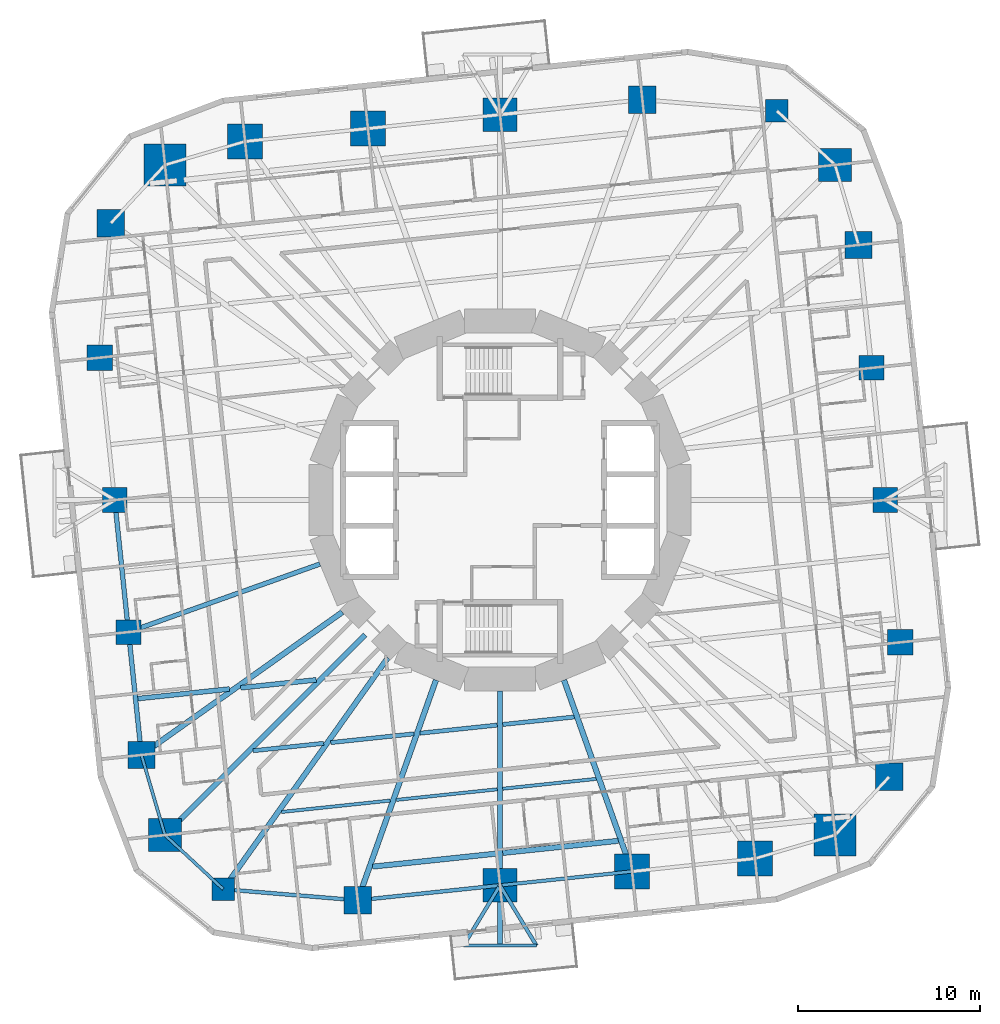
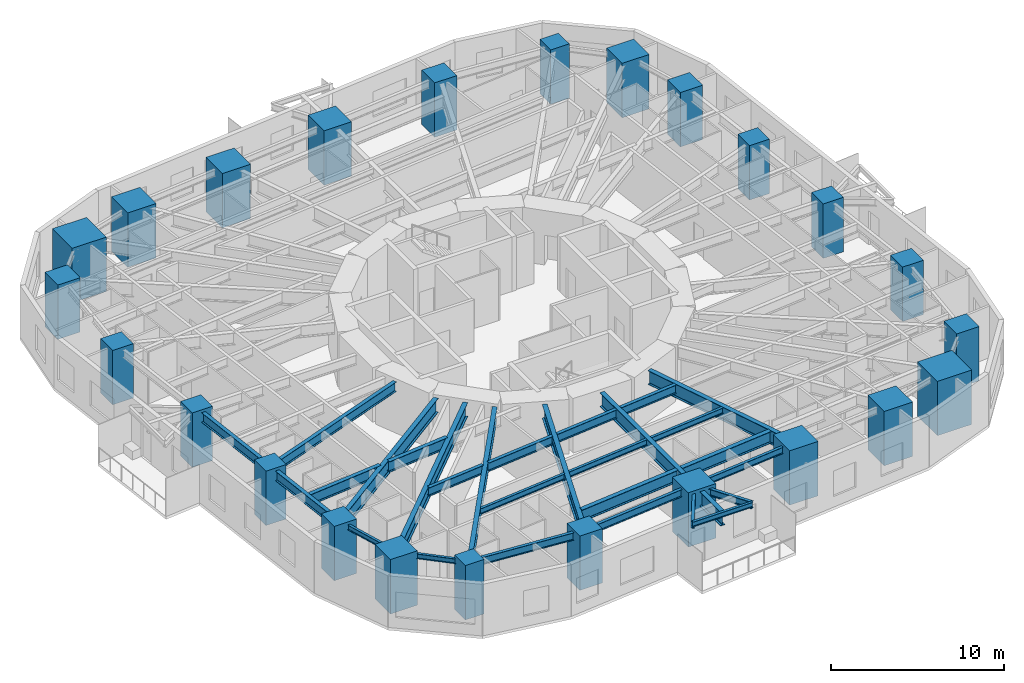
# One storey, part 1 of 14: 28 beams, 24 columns.
"""IFC4 building model written with IfcOpenShell, lengths in metres."""

from ifc_helpers import new_model, si_unit, direction, frame, origin, origin_2d, place, context, subcontext, project, spatial, rectangle, i_section, extrude, material, material_profile, profile_set, type_object, element, save


model = new_model("IFC4")

# Units and contexts
model_context = context("Model", 3, precision=1e-05, world=origin(), true_north=direction((0.0, 1.0)))
body_context = subcontext(model_context, "Body", "Model", "MODEL_VIEW")
ifc_project = project(units=[si_unit("LENGTHUNIT", "METRE"), si_unit("AREAUNIT", "SQUARE_METRE"), si_unit("VOLUMEUNIT", "CUBIC_METRE"), si_unit("PLANEANGLEUNIT", "RADIAN"), si_unit("MASSUNIT", "GRAM", prefix="KILO")], contexts=[model_context])

# Site, building, storey
site_placement = place(None, origin())
site = spatial("IfcSite", under=ifc_project, at=site_placement, CompositionType="ELEMENT")
building_placement = place(site_placement, origin())
building = spatial("IfcBuilding", under=site, at=building_placement, Name="Nakasero Lantern House", CompositionType="ELEMENT")
storey_placement = place(building_placement, frame((0.0, 0.0, 87.449951171875)))
storey = spatial("IfcBuildingStorey", under=building, at=storey_placement, Name="L21", CompositionType="ELEMENT", Elevation=87.449951171875)

# Columns
ifc_material_1 = material(Name="Concrete C50/60", Category="concrete")
ifc_material_profile_1 = material_profile(ifc_material_1, rectangle(XDim=1.800048828125, YDim=1.800048828125, at=origin_2d()), Name="RC 1800x1800")
ifc_profile_set_1 = profile_set([ifc_material_profile_1], Name="Concrete C50/60")
column_type_1 = type_object("IfcColumnType", Name="Mega column RC 1800x1800 C50/60", PredefinedType="COLUMN", material=ifc_profile_set_1)
for number, where, z_axis, x_axis, name in (
    (1, (18.359375, 18.359375, 0.0), (0.0, 0.0, 1.0), (1.0, 0.0, 0.0), "Column B2-C06 L21"),
    (2, (-18.359375, -18.359375, 0.0), (0.0, 0.0, 1.0), (1.0, 0.0, 0.0), "Column B2-C18 L21"),
):
    element("IfcColumn", number, at=place(storey_placement, frame(where, z_axis=z_axis, x_axis=x_axis)), inside=storey, type_object=column_type_1, Name=name, PredefinedType="COLUMN", context=body_context, shape_type="SweptSolid", body=[
        extrude(rectangle(XDim=1.800048828125, YDim=1.800048828125, at=origin_2d()), origin(), (0.0, 0.0, 1.0), 3.85009765625),
    ])
ifc_material_2 = material(Name="Concrete C50/60", Category="concrete")
ifc_material_profile_2 = material_profile(ifc_material_2, rectangle(XDim=2.300048828125, YDim=2.300048828125, at=origin_2d()), Name="RC 2300x2300")
ifc_profile_set_2 = profile_set([ifc_material_profile_2], Name="Concrete C50/60")
column_type_2 = type_object("IfcColumnType", Name="Mega column RC 2300x2300 C50/60", PredefinedType="COLUMN", material=ifc_profile_set_2)
for number, where, z_axis, x_axis, name in (
    (3, (-18.359375, 18.359375, 0.0), (0.0, 0.0, 1.0), (1.0, 0.0, 0.0), "Column B2-C12 L21"),
    (4, (18.359375, -18.359375, 0.0), (0.0, 0.0, 1.0), (1.0, 0.0, 0.0), "Column B2-C24 L21"),
):
    element("IfcColumn", number, at=place(storey_placement, frame(where, z_axis=z_axis, x_axis=x_axis)), inside=storey, type_object=column_type_2, Name=name, PredefinedType="COLUMN", context=body_context, shape_type="SweptSolid", body=[
        extrude(rectangle(XDim=2.300048828125, YDim=2.300048828125, at=origin_2d()), origin(), (0.0, 0.0, 1.0), 3.85009765625),
    ])
ifc_material_3 = material(Name="Concrete C50/60", Category="concrete")
ifc_material_profile_3 = material_profile(ifc_material_3, rectangle(XDim=1.25, YDim=1.25, at=origin_2d()), Name="RC 1250x1250")
ifc_profile_set_3 = profile_set([ifc_material_profile_3], Name="Concrete C50/60")
column_type_3 = type_object("IfcColumnType", Name="Ring column RC 1250x1250 C50/60", PredefinedType="COLUMN", material=ifc_profile_set_3)
for number, where, z_axis, x_axis, name in (
    (5, (15.16650390625, 21.327880859375, 0.0), (0.0, 0.0, 1.0), (1.0, 0.0, 0.0), "Column B2-C07 L21"),
    (6, (-15.16650390625, -21.327880859375, 0.0), (0.0, 0.0, 1.0), (1.0, 0.0, 0.0), "Column B2-C19 L21"),
):
    element("IfcColumn", number, at=place(storey_placement, frame(where, z_axis=z_axis, x_axis=x_axis)), inside=storey, type_object=column_type_3, Name=name, PredefinedType="COLUMN", context=body_context, shape_type="SweptSolid", body=[
        extrude(rectangle(XDim=1.25, YDim=1.25, at=origin_2d()), origin(), (0.0, 0.0, 1.0), 3.85009765625),
    ])
ifc_material_4 = material(Name="Concrete C50/60", Category="concrete")
ifc_material_profile_4 = material_profile(ifc_material_4, rectangle(XDim=1.35009765625, YDim=1.35009765625, at=origin_2d()), Name="RC 1350x1350")
ifc_profile_set_4 = profile_set([ifc_material_profile_4], Name="Concrete C50/60")
column_type_4 = type_object("IfcColumnType", Name="Ring column RC 1350x1350 C50/60", PredefinedType="COLUMN", material=ifc_profile_set_4)
for number, where, z_axis, x_axis, name in (
    (7, (21.11572265625, 0.0, 0.0), (0.0, 0.0, 1.0), (1.0, 0.0, 0.0), "Column B2-C03 L21"),
    (8, (20.35498046875, 7.2373046875, 0.0), (0.0, 0.0, 1.0), (1.0, 0.0, 0.0), "Column B2-C04 L21"),
    (9, (-21.11572265625, 0.0, 0.0), (0.0, 0.0, 1.0), (1.0, 0.0, 0.0), "Column B2-C15 L21"),
    (10, (-20.35498046875, -7.2373046875, 0.0), (0.0, 0.0, 1.0), (1.0, 0.0, 0.0), "Column B2-C16 L21"),
):
    element("IfcColumn", number, at=place(storey_placement, frame(where, z_axis=z_axis, x_axis=x_axis)), inside=storey, type_object=column_type_4, Name=name, PredefinedType="COLUMN", context=body_context, shape_type="SweptSolid", body=[
        extrude(rectangle(XDim=1.35009765625, YDim=1.35009765625, at=origin_2d()), origin(), (0.0, 0.0, 1.0), 3.85009765625),
    ])
ifc_material_5 = material(Name="Concrete C50/60", Category="concrete")
ifc_material_profile_5 = material_profile(ifc_material_5, rectangle(XDim=1.39990234375, YDim=1.39990234375, at=origin_2d()), Name="RC 1400x1400")
ifc_profile_set_5 = profile_set([ifc_material_profile_5], Name="Concrete C50/60")
column_type_5 = type_object("IfcColumnType", Name="Ring column RC 1400x1400 C50/60", PredefinedType="COLUMN", material=ifc_profile_set_5)
for number, where, z_axis, x_axis, name in (
    (11, (21.935302734375, -7.79931640625, 0.0), (0.0, 0.0, 1.0), (1.0, 0.0, 0.0), "Column B2-C02 L21"),
    (12, (-21.935302734375, 7.79931640625, 0.0), (0.0, 0.0, 1.0), (1.0, 0.0, 0.0), "Column B2-C14 L21"),
):
    element("IfcColumn", number, at=place(storey_placement, frame(where, z_axis=z_axis, x_axis=x_axis)), inside=storey, type_object=column_type_5, Name=name, PredefinedType="COLUMN", context=body_context, shape_type="SweptSolid", body=[
        extrude(rectangle(XDim=1.39990234375, YDim=1.39990234375, at=origin_2d()), origin(), (0.0, 0.0, 1.0), 3.85009765625),
    ])
ifc_material_6 = material(Name="Concrete C50/60", Category="concrete")
ifc_material_profile_6 = material_profile(ifc_material_6, rectangle(XDim=1.5, YDim=1.5, at=origin_2d()), Name="RC 1500x1500")
ifc_profile_set_6 = profile_set([ifc_material_profile_6], Name="Concrete C50/60")
column_type_6 = type_object("IfcColumnType", Name="Ring column RC 1500x1500 C50/60", PredefinedType="COLUMN", material=ifc_profile_set_6)
for number, where, z_axis, x_axis, name in (
    (13, (21.327880859375, -15.16650390625, 0.0), (0.0, 0.0, 1.0), (1.0, 0.0, 0.0), "Column B2-C01 L21"),
    (14, (19.647216796875, 13.971435546875, 0.0), (0.0, 0.0, 1.0), (1.0, 0.0, 0.0), "Column B2-C05 L21"),
    (15, (7.79931640625, 21.935302734375, 0.0), (0.0, 0.0, 1.0), (1.0, 0.0, 0.0), "Column B2-C08 L21"),
    (16, (-21.327880859375, 15.16650390625, 0.0), (0.0, 0.0, 1.0), (1.0, 0.0, 0.0), "Column B2-C13 L21"),
    (17, (-19.647216796875, -13.971435546875, 0.0), (0.0, 0.0, 1.0), (1.0, 0.0, 0.0), "Column B2-C17 L21"),
    (18, (-7.79931640625, -21.935302734375, 0.0), (0.0, 0.0, 1.0), (1.0, 0.0, 0.0), "Column B2-C20 L21"),
):
    element("IfcColumn", number, at=place(storey_placement, frame(where, z_axis=z_axis, x_axis=x_axis)), inside=storey, type_object=column_type_6, Name=name, PredefinedType="COLUMN", context=body_context, shape_type="SweptSolid", body=[
        extrude(rectangle(XDim=1.5, YDim=1.5, at=origin_2d()), origin(), (0.0, 0.0, 1.0), 3.85009765625),
    ])
ifc_material_7 = material(Name="Concrete C50/60", Category="concrete")
ifc_material_profile_7 = material_profile(ifc_material_7, rectangle(XDim=1.85009765625, YDim=1.85009765625, at=origin_2d()), Name="RC 1850x1850")
ifc_profile_set_7 = profile_set([ifc_material_profile_7], Name="Concrete C50/60")
column_type_7 = type_object("IfcColumnType", Name="Ring column RC 1850x1850 C50/60", PredefinedType="COLUMN", material=ifc_profile_set_7)
for number, where, z_axis, x_axis, name in (
    (19, (0.0, 21.11572265625, 0.0), (0.0, 0.0, 1.0), (1.0, 0.0, 0.0), "Column B2-C09 L21"),
    (20, (0.0, -21.11572265625, 0.0), (0.0, 0.0, 1.0), (1.0, 0.0, 0.0), "Column B2-C21 L21"),
):
    element("IfcColumn", number, at=place(storey_placement, frame(where, z_axis=z_axis, x_axis=x_axis)), inside=storey, type_object=column_type_7, Name=name, PredefinedType="COLUMN", context=body_context, shape_type="SweptSolid", body=[
        extrude(rectangle(XDim=1.85009765625, YDim=1.85009765625, at=origin_2d()), origin(), (0.0, 0.0, 1.0), 3.85009765625),
    ])
ifc_material_8 = material(Name="Concrete C50/60", Category="concrete")
ifc_material_profile_8 = material_profile(ifc_material_8, rectangle(XDim=1.89990234375, YDim=1.89990234375, at=origin_2d()), Name="RC 1900x1900")
ifc_profile_set_8 = profile_set([ifc_material_profile_8], Name="Concrete C50/60")
column_type_8 = type_object("IfcColumnType", Name="Ring column RC 1900x1900 C50/60", PredefinedType="COLUMN", material=ifc_profile_set_8)
for number, where, z_axis, x_axis, name in (
    (21, (-7.2373046875, 20.35498046875, 0.0), (0.0, 0.0, 1.0), (1.0, 0.0, 0.0), "Column B2-C10 L21"),
    (22, (-13.971435546875, 19.647216796875, 0.0), (0.0, 0.0, 1.0), (1.0, 0.0, 0.0), "Column B2-C11 L21"),
    (23, (7.2373046875, -20.35498046875, 0.0), (0.0, 0.0, 1.0), (1.0, 0.0, 0.0), "Column B2-C22 L21"),
    (24, (13.971435546875, -19.647216796875, 0.0), (0.0, 0.0, 1.0), (1.0, 0.0, 0.0), "Column B2-C23 L21"),
):
    element("IfcColumn", number, at=place(storey_placement, frame(where, z_axis=z_axis, x_axis=x_axis)), inside=storey, type_object=column_type_8, Name=name, PredefinedType="COLUMN", context=body_context, shape_type="SweptSolid", body=[
        extrude(rectangle(XDim=1.89990234375, YDim=1.89990234375, at=origin_2d()), origin(), (0.0, 0.0, 1.0), 3.85009765625),
    ])

# Beams
ifc_material_9 = material(Name="Steel S355", Category="steel")
ifc_material_profile_9 = material_profile(ifc_material_9, i_section(OverallWidth=0.199462890625, OverallDepth=0.491943359375, WebThickness=0.01806640625, FlangeThickness=0.031982421875, FilletRadius=0.01025390625, at=origin_2d()), Name="UB 457x191x161")
ifc_profile_set_9 = profile_set([ifc_material_profile_9], Name="Steel S355")
beam_type_1 = type_object("IfcBeamType", Name="Balcony splay beam UB 457x191x161", PredefinedType="BEAM", material=ifc_profile_set_9)
for number, where, z_axis, x_axis, name in (
    (25, (0.0, -21.11572265625, 3.404052734375), (0.518296107317, -0.855201230787, 0.0), (0.855201230787, 0.518296107317, 0.0), "Balcony splay beam L22 B2-C21A"),
    (26, (0.0, -21.11572265625, 3.404052734375), (-0.518296107317, -0.855201230787, 0.0), (0.855201230787, -0.518296107317, 0.0), "Balcony splay beam L22 B2-C21B"),
):
    element("IfcBeam", number, at=place(storey_placement, frame(where, z_axis=z_axis, x_axis=x_axis)), inside=storey, type_object=beam_type_1, Name=name, PredefinedType="BEAM", context=body_context, shape_type="SweptSolid", body=[
        extrude(i_section(OverallWidth=0.199462890625, OverallDepth=0.491943359375, WebThickness=0.01806640625, FlangeThickness=0.031982421875, FilletRadius=0.01025390625, at=origin_2d()), origin(), (0.0, 0.0, 1.0), 3.85888671875),
    ])
ifc_material_10 = material(Name="Steel S355", Category="steel")
ifc_material_profile_10 = material_profile(ifc_material_10, i_section(OverallWidth=0.17138671875, OverallDepth=0.35498046875, WebThickness=0.00732421875, FlangeThickness=0.011474609375, FilletRadius=0.01025390625, at=origin_2d()), Name="UB 356x171x51")
ifc_profile_set_10 = profile_set([ifc_material_profile_10], Name="Steel S355")
beam_type_2 = type_object("IfcBeamType", Name="Balcony tie beam UB 356x171x51", PredefinedType="BEAM", material=ifc_profile_set_10)
beam_1_placement = place(storey_placement, frame((2.0, -24.415771484375, 3.47265625), z_axis=(-1.0, 0.0, 0.0), x_axis=(0.0, -1.0, 0.0)))
element("IfcBeam", 27, at=beam_1_placement, inside=storey, type_object=beam_type_2, Name="Balcony tie beam L22 B2-C21", PredefinedType="BEAM", context=body_context, shape_type="SweptSolid", body=[
    extrude(i_section(OverallWidth=0.17138671875, OverallDepth=0.35498046875, WebThickness=0.00732421875, FlangeThickness=0.011474609375, FilletRadius=0.01025390625, at=origin_2d()), origin(), (0.0, 0.0, 1.0), 4.0),
])
ifc_material_11 = material(Name="Steel S355", Category="steel")
ifc_material_profile_11 = material_profile(ifc_material_11, i_section(OverallWidth=0.177978515625, OverallDepth=0.406494140625, WebThickness=0.0078125, FlangeThickness=0.0126953125, FilletRadius=0.01025390625, at=origin_2d()), Name="UB 406x178x60")
ifc_profile_set_11 = profile_set([ifc_material_profile_11], Name="Steel S355")
beam_type_3 = type_object("IfcBeamType", Name="Infill beam UB 406x178x60", PredefinedType="JOIST", material=ifc_profile_set_11)
beam_2_placement = place(storey_placement, frame((-11.9775390625, -17.095703125, 3.44677734375), z_axis=(0.994521729164, 0.104530044579, 0.0), x_axis=(-0.104530044579, 0.994521729164, 0.0)))
element("IfcBeam", 28, at=beam_2_placement, inside=storey, type_object=beam_type_3, Name="Infill beam L22 03.1", PredefinedType="JOIST", context=body_context, shape_type="SweptSolid", body=[
    extrude(i_section(OverallWidth=0.177978515625, OverallDepth=0.406494140625, WebThickness=0.0078125, FlangeThickness=0.0126953125, FilletRadius=0.01025390625, at=origin_2d()), origin(), (0.0, 0.0, 1.0), 5.99560546875),
])
beam_3_placement = place(storey_placement, frame((-5.68408203125, -16.43408203125, 3.44677734375), z_axis=(0.994524188375, 0.104506644464, 0.0), x_axis=(-0.104506644464, 0.994524188375, 0.0)))
element("IfcBeam", 29, at=beam_3_placement, inside=storey, type_object=beam_type_3, Name="Infill beam L22 03.2", PredefinedType="JOIST", context=body_context, shape_type="SweptSolid", body=[
    extrude(i_section(OverallWidth=0.177978515625, OverallDepth=0.406494140625, WebThickness=0.0078125, FlangeThickness=0.0126953125, FilletRadius=0.01025390625, at=origin_2d()), origin(), (0.0, 0.0, 1.0), 5.564697265625),
])
beam_4_placement = place(storey_placement, frame((0.14990234375, -15.821044921875, 3.44677734375), z_axis=(0.994522574566, 0.104522000929, 0.0), x_axis=(-0.104522000929, 0.994522574566, 0.0)))
element("IfcBeam", 30, at=beam_4_placement, inside=storey, type_object=beam_type_3, Name="Infill beam L22 03.3", PredefinedType="JOIST", context=body_context, shape_type="SweptSolid", body=[
    extrude(i_section(OverallWidth=0.177978515625, OverallDepth=0.406494140625, WebThickness=0.0078125, FlangeThickness=0.0126953125, FilletRadius=0.01025390625, at=origin_2d()), origin(), (0.0, 0.0, 1.0), 5.15283203125),
])
ifc_material_12 = material(Name="Steel S355", Category="steel")
ifc_material_profile_12 = material_profile(ifc_material_12, i_section(OverallWidth=0.22900390625, OverallDepth=0.6123046875, WebThickness=0.011962890625, FlangeThickness=0.01953125, FilletRadius=0.0126953125, at=origin_2d()), Name="UB 610x229x125")
ifc_profile_set_12 = profile_set([ifc_material_profile_12], Name="Steel S355")
beam_type_4 = type_object("IfcBeamType", Name="Infill beam UB 610x229x125", PredefinedType="JOIST", material=ifc_profile_set_12)
beam_5_placement = place(storey_placement, frame((-13.527099609375, -13.7392578125, 3.343994140625), z_axis=(0.99451886442, 0.10455729679, 0.0), x_axis=(-0.10455729679, 0.99451886442, 0.0)))
element("IfcBeam", 31, at=beam_5_placement, inside=storey, type_object=beam_type_4, Name="Infill beam L22 04.1", PredefinedType="JOIST", context=body_context, shape_type="SweptSolid", body=[
    extrude(i_section(OverallWidth=0.22900390625, OverallDepth=0.6123046875, WebThickness=0.011962890625, FlangeThickness=0.01953125, FilletRadius=0.0126953125, at=origin_2d()), origin(), (0.0, 0.0, 1.0), 3.8876953125),
])
beam_6_placement = place(storey_placement, frame((-9.272705078125, -13.2919921875, 3.343994140625), z_axis=(0.994522952874, 0.104518401282, 0.0), x_axis=(-0.104518401282, 0.994522952874, 0.0)))
element("IfcBeam", 32, at=beam_6_placement, inside=storey, type_object=beam_type_4, Name="Infill beam L22 04.2", PredefinedType="JOIST", context=body_context, shape_type="SweptSolid", body=[
    extrude(i_section(OverallWidth=0.22900390625, OverallDepth=0.6123046875, WebThickness=0.011962890625, FlangeThickness=0.01953125, FilletRadius=0.0126953125, at=origin_2d()), origin(), (0.0, 0.0, 1.0), 4.5830078125),
])
beam_7_placement = place(storey_placement, frame((-4.38427734375, -12.7783203125, 3.343994140625), z_axis=(0.994521465317, 0.104532554847, 0.0), x_axis=(-0.104532554847, 0.994521465317, 0.0)))
element("IfcBeam", 33, at=beam_7_placement, inside=storey, type_object=beam_type_4, Name="Infill beam L22 04.3", PredefinedType="JOIST", context=body_context, shape_type="SweptSolid", body=[
    extrude(i_section(OverallWidth=0.22900390625, OverallDepth=0.6123046875, WebThickness=0.011962890625, FlangeThickness=0.01953125, FilletRadius=0.0126953125, at=origin_2d()), origin(), (0.0, 0.0, 1.0), 4.2578125),
])
beam_8_placement = place(storey_placement, frame((0.14990234375, -12.3017578125, 3.343994140625), z_axis=(0.994521399206, 0.104533183829, 0.0), x_axis=(-0.104533183829, 0.994521399206, 0.0)))
element("IfcBeam", 34, at=beam_8_placement, inside=storey, type_object=beam_type_4, Name="Infill beam L22 04.4", PredefinedType="JOIST", context=body_context, shape_type="SweptSolid", body=[
    extrude(i_section(OverallWidth=0.22900390625, OverallDepth=0.6123046875, WebThickness=0.011962890625, FlangeThickness=0.01953125, FilletRadius=0.0126953125, at=origin_2d()), origin(), (0.0, 0.0, 1.0), 3.93994140625),
])
ifc_material_13 = material(Name="Steel S355", Category="steel")
ifc_material_profile_13 = material_profile(ifc_material_13, i_section(OverallWidth=0.2666015625, OverallDepth=0.76220703125, WebThickness=0.014404296875, FlangeThickness=0.021484375, FilletRadius=0.0166015625, at=origin_2d()), Name="UB 762x267x173")
ifc_profile_set_13 = profile_set([ifc_material_profile_13], Name="Steel S355")
beam_type_5 = type_object("IfcBeamType", Name="Infill beam UB 762x267x173", PredefinedType="JOIST", material=ifc_profile_set_13)
beam_9_placement = place(storey_placement, frame((-19.843017578125, -10.8837890625, 3.26904296875), z_axis=(0.994520551882, 0.104541244898, 0.0), x_axis=(-0.104541244898, 0.994520551882, 0.0)))
element("IfcBeam", 35, at=beam_9_placement, inside=storey, type_object=beam_type_5, Name="Infill beam L22 05.1", PredefinedType="JOIST", context=body_context, shape_type="SweptSolid", body=[
    extrude(i_section(OverallWidth=0.2666015625, OverallDepth=0.76220703125, WebThickness=0.014404296875, FlangeThickness=0.021484375, FilletRadius=0.0166015625, at=origin_2d()), origin(), (0.0, 0.0, 1.0), 5.046630859375),
])
beam_10_placement = place(storey_placement, frame((-14.212646484375, -10.2919921875, 3.26904296875), z_axis=(0.994522134672, 0.104526186418, 0.0), x_axis=(-0.104526186418, 0.994522134672, 0.0)))
element("IfcBeam", 36, at=beam_10_placement, inside=storey, type_object=beam_type_5, Name="Infill beam L22 05.2", PredefinedType="JOIST", context=body_context, shape_type="SweptSolid", body=[
    extrude(i_section(OverallWidth=0.2666015625, OverallDepth=0.76220703125, WebThickness=0.014404296875, FlangeThickness=0.021484375, FilletRadius=0.0166015625, at=origin_2d()), origin(), (0.0, 0.0, 1.0), 4.166748046875),
])
ifc_material_14 = material(Name="Steel S355", Category="steel")
ifc_material_profile_14 = material_profile(ifc_material_14, i_section(OverallWidth=0.29248046875, OverallDepth=0.8408203125, WebThickness=0.0146484375, FlangeThickness=0.02685546875, FilletRadius=0.017822265625, at=origin_2d()), Name="UB 838x292x194")
ifc_profile_set_14 = profile_set([ifc_material_profile_14], Name="Steel S355")
beam_type_6 = type_object("IfcBeamType", Name="Infill beam UB 838x292x194", PredefinedType="JOIST", material=ifc_profile_set_14)
beam_11_placement = place(storey_placement, frame((-6.98388671875, -20.090087890625, 3.229736328125), z_axis=(0.994522182542, 0.10452573096, 0.0), x_axis=(-0.10452573096, 0.994522182542, 0.0)))
element("IfcBeam", 37, at=beam_11_placement, inside=storey, type_object=beam_type_6, Name="Infill beam L22 02.1", PredefinedType="JOIST", context=body_context, shape_type="SweptSolid", body=[
    extrude(i_section(OverallWidth=0.29248046875, OverallDepth=0.8408203125, WebThickness=0.0146484375, FlangeThickness=0.02685546875, FilletRadius=0.017822265625, at=origin_2d()), origin(), (0.0, 0.0, 1.0), 6.87158203125),
])
beam_12_placement = place(storey_placement, frame((0.14990234375, -19.34033203125, 3.229736328125), z_axis=(0.994519733917, 0.104549026056, 0.0), x_axis=(-0.104549026056, 0.994519733917, 0.0)))
element("IfcBeam", 38, at=beam_12_placement, inside=storey, type_object=beam_type_6, Name="Infill beam L22 02.2", PredefinedType="JOIST", context=body_context, shape_type="SweptSolid", body=[
    extrude(i_section(OverallWidth=0.29248046875, OverallDepth=0.8408203125, WebThickness=0.0146484375, FlangeThickness=0.02685546875, FilletRadius=0.017822265625, at=origin_2d()), origin(), (0.0, 0.0, 1.0), 6.36572265625),
])
ifc_material_15 = material(Name="Steel S355", Category="steel")
ifc_material_profile_15 = material_profile(ifc_material_15, i_section(OverallWidth=0.300048828125, OverallDepth=0.97998046875, WebThickness=0.0166015625, FlangeThickness=0.02587890625, FilletRadius=0.030029296875, at=origin_2d()), Name="UB 1016x305x249")
ifc_profile_set_15 = profile_set([ifc_material_profile_15], Name="Steel S355")
beam_type_7 = type_object("IfcBeamType", Name="Primary beam UB 1016x305x249, span 12 to 15 m", PredefinedType="BEAM", material=ifc_profile_set_15)
beam_13_placement = place(storey_placement, frame((-7.79931640625, -21.935302734375, 3.159912109375), z_axis=(0.335017564047, 0.942211882636, 0.0), x_axis=(-0.942211882636, 0.335017564047, 0.0)))
element("IfcBeam", 39, at=beam_13_placement, inside=storey, type_object=beam_type_7, Name="Primary beam L22 B2-C20", PredefinedType="BEAM", context=body_context, shape_type="SweptSolid", body=[
    extrude(i_section(OverallWidth=0.300048828125, OverallDepth=0.97998046875, WebThickness=0.0166015625, FlangeThickness=0.02587890625, FilletRadius=0.030029296875, at=origin_2d()), origin(), (0.0, 0.0, 1.0), 12.80908203125),
])
ifc_material_16 = material(Name="Steel S355", Category="steel")
ifc_material_profile_16 = material_profile(ifc_material_16, i_section(OverallWidth=0.300048828125, OverallDepth=0.97998046875, WebThickness=0.0166015625, FlangeThickness=0.02587890625, FilletRadius=0.030029296875, at=origin_2d()), Name="UB 1016x305x249")
ifc_profile_set_16 = profile_set([ifc_material_profile_16], Name="Steel S355")
beam_type_8 = type_object("IfcBeamType", Name="Primary beam UB 1016x305x249, span 9 to 12 m", PredefinedType="BEAM", material=ifc_profile_set_16)
beam_14_placement = place(storey_placement, frame((7.2373046875, -20.35498046875, 3.159912109375), z_axis=(-0.335009234979, 0.942214844119, 0.0), x_axis=(-0.942214844119, -0.335009234979, 0.0)))
element("IfcBeam", 40, at=beam_14_placement, inside=storey, type_object=beam_type_8, Name="Primary beam L22 B2-C22", PredefinedType="BEAM", context=body_context, shape_type="SweptSolid", body=[
    extrude(i_section(OverallWidth=0.300048828125, OverallDepth=0.97998046875, WebThickness=0.0166015625, FlangeThickness=0.02587890625, FilletRadius=0.030029296875, at=origin_2d()), origin(), (0.0, 0.0, 1.0), 11.1318359375),
])
ifc_material_17 = material(Name="Steel S355", Category="steel")
ifc_material_profile_17 = material_profile(ifc_material_17, i_section(OverallWidth=0.300048828125, OverallDepth=1.0, WebThickness=0.01904296875, FlangeThickness=0.035888671875, FilletRadius=0.030029296875, at=origin_2d()), Name="UB 1016x305x314")
ifc_profile_set_17 = profile_set([ifc_material_profile_17], Name="Steel S355")
beam_type_9 = type_object("IfcBeamType", Name="Primary beam UB 1016x305x314, span 9 to 12 m", PredefinedType="BEAM", material=ifc_profile_set_17)
beam_15_placement = place(storey_placement, frame((0.0, -24.415771484375, 3.150146484375), z_axis=(0.0, 1.0, 0.0), x_axis=(-1.0, 0.0, 0.0)))
element("IfcBeam", 41, at=beam_15_placement, inside=storey, type_object=beam_type_9, Name="Primary beam L22 B2-C21", PredefinedType="BEAM", context=body_context, shape_type="SweptSolid", body=[
    extrude(i_section(OverallWidth=0.300048828125, OverallDepth=1.0, WebThickness=0.01904296875, FlangeThickness=0.035888671875, FilletRadius=0.030029296875, at=origin_2d()), origin(), (0.0, 0.0, 1.0), 13.9580078125),
])
ifc_material_18 = material(Name="Steel S355", Category="steel")
ifc_material_profile_18 = material_profile(ifc_material_18, i_section(OverallWidth=0.300048828125, OverallDepth=1.0, WebThickness=0.01904296875, FlangeThickness=0.035888671875, FilletRadius=0.030029296875, at=origin_2d()), Name="UB 1016x305x314")
ifc_profile_set_18 = profile_set([ifc_material_profile_18], Name="Steel S355")
beam_type_10 = type_object("IfcBeamType", Name="Primary beam UB 1016x305x314, span over 15 m", PredefinedType="BEAM", material=ifc_profile_set_18)
beam_16_placement = place(storey_placement, frame((-18.359375, -18.359375, 3.150146484375), z_axis=(0.707106781187, 0.707106781187, 0.0), x_axis=(-0.707106781187, 0.707106781187, 0.0)))
element("IfcBeam", 42, at=beam_16_placement, inside=storey, type_object=beam_type_10, Name="Primary beam L22 B2-C18", PredefinedType="BEAM", context=body_context, shape_type="SweptSolid", body=[
    extrude(i_section(OverallWidth=0.300048828125, OverallDepth=1.0, WebThickness=0.01904296875, FlangeThickness=0.035888671875, FilletRadius=0.030029296875, at=origin_2d()), origin(), (0.0, 0.0, 1.0), 15.50634765625),
])
ifc_material_19 = material(Name="Steel S355", Category="steel")
ifc_material_profile_19 = material_profile(ifc_material_19, i_section(OverallWidth=0.302001953125, OverallDepth=1.008056640625, WebThickness=0.02099609375, FlangeThickness=0.0400390625, FilletRadius=0.030029296875, at=origin_2d()), Name="UB 1016x305x349")
ifc_profile_set_19 = profile_set([ifc_material_profile_19], Name="Steel S355")
beam_type_11 = type_object("IfcBeamType", Name="Primary beam UB 1016x305x349, span 12 to 15 m", PredefinedType="BEAM", material=ifc_profile_set_19)
beam_17_placement = place(storey_placement, frame((-19.647216796875, -13.971435546875, 3.14599609375), z_axis=(0.814948492976, 0.579533393168, 0.0), x_axis=(-0.579533393168, 0.814948492976, 0.0)))
element("IfcBeam", 43, at=beam_17_placement, inside=storey, type_object=beam_type_11, Name="Primary beam L22 B2-C17", PredefinedType="BEAM", context=body_context, shape_type="SweptSolid", body=[
    extrude(i_section(OverallWidth=0.302001953125, OverallDepth=1.008056640625, WebThickness=0.02099609375, FlangeThickness=0.0400390625, FilletRadius=0.030029296875, at=origin_2d()), origin(), (0.0, 0.0, 1.0), 13.502685546875),
])
ifc_material_20 = material(Name="Steel S355", Category="steel")
ifc_material_profile_20 = material_profile(ifc_material_20, i_section(OverallWidth=0.253662109375, OverallDepth=0.68359375, WebThickness=0.012451171875, FlangeThickness=0.01904296875, FilletRadius=0.01513671875, at=origin_2d()), Name="UB 686x254x140")
ifc_profile_set_20 = profile_set([ifc_material_profile_20], Name="Steel S355")
beam_type_12 = type_object("IfcBeamType", Name="Primary beam UB 686x254x140, span 9 to 12 m", PredefinedType="BEAM", material=ifc_profile_set_20)
beam_18_placement = place(storey_placement, frame((-20.35498046875, -7.2373046875, 3.308349609375), z_axis=(0.942214844119, 0.335009234979, 0.0), x_axis=(-0.335009234979, 0.942214844119, 0.0)))
element("IfcBeam", 44, at=beam_18_placement, inside=storey, type_object=beam_type_12, Name="Primary beam L22 B2-C16", PredefinedType="BEAM", context=body_context, shape_type="SweptSolid", body=[
    extrude(i_section(OverallWidth=0.253662109375, OverallDepth=0.68359375, WebThickness=0.012451171875, FlangeThickness=0.01904296875, FilletRadius=0.01513671875, at=origin_2d()), origin(), (0.0, 0.0, 1.0), 11.1318359375),
])
ifc_material_21 = material(Name="Steel S355", Category="steel")
ifc_material_profile_21 = material_profile(ifc_material_21, i_section(OverallWidth=0.29248046875, OverallDepth=0.8408203125, WebThickness=0.0146484375, FlangeThickness=0.02685546875, FilletRadius=0.017822265625, at=origin_2d()), Name="UB 838x292x194")
ifc_profile_set_21 = profile_set([ifc_material_profile_21], Name="Steel S355")
beam_type_13 = type_object("IfcBeamType", Name="Primary beam UB 838x292x194, span over 15 m", PredefinedType="BEAM", material=ifc_profile_set_21)
beam_19_placement = place(storey_placement, frame((-15.16650390625, -21.327880859375, 3.229736328125), z_axis=(0.57952911085, 0.814951538239, 0.0), x_axis=(-0.814951538239, 0.57952911085, 0.0)))
element("IfcBeam", 45, at=beam_19_placement, inside=storey, type_object=beam_type_13, Name="Primary beam L22 B2-C19", PredefinedType="BEAM", context=body_context, shape_type="SweptSolid", body=[
    extrude(i_section(OverallWidth=0.29248046875, OverallDepth=0.8408203125, WebThickness=0.0146484375, FlangeThickness=0.02685546875, FilletRadius=0.017822265625, at=origin_2d()), origin(), (0.0, 0.0, 1.0), 15.564697265625),
])
ifc_material_22 = material(Name="Steel S355", Category="steel")
ifc_material_profile_22 = material_profile(ifc_material_22, i_section(OverallWidth=0.17138671875, OverallDepth=0.35498046875, WebThickness=0.00732421875, FlangeThickness=0.011474609375, FilletRadius=0.01025390625, at=origin_2d()), Name="UB 356x171x51")
ifc_profile_set_22 = profile_set([ifc_material_profile_22], Name="Steel S355")
beam_type_14 = type_object("IfcBeamType", Name="Ring beam UB 356x171x51", PredefinedType="BEAM", material=ifc_profile_set_22)
beam_20_placement = place(storey_placement, frame((-19.647216796875, -13.971435546875, 3.47265625), z_axis=(0.28161710443, -0.959526865957, 0.0), x_axis=(0.959526865957, 0.28161710443, 0.0)))
element("IfcBeam", 46, at=beam_20_placement, inside=storey, type_object=beam_type_14, Name="Ring beam L22 B2-C17", PredefinedType="BEAM", context=body_context, shape_type="SweptSolid", body=[
    extrude(i_section(OverallWidth=0.17138671875, OverallDepth=0.35498046875, WebThickness=0.00732421875, FlangeThickness=0.011474609375, FilletRadius=0.01025390625, at=origin_2d()), origin(), (0.0, 0.0, 1.0), 4.572998046875),
])
beam_21_placement = place(storey_placement, frame((-18.359375, -18.359375, 3.47265625), z_axis=(0.732370510336, -0.680906333933, 0.0), x_axis=(0.680906333933, 0.732370510336, 0.0)))
element("IfcBeam", 47, at=beam_21_placement, inside=storey, type_object=beam_type_14, Name="Ring beam L22 B2-C18", PredefinedType="BEAM", context=body_context, shape_type="SweptSolid", body=[
    extrude(i_section(OverallWidth=0.17138671875, OverallDepth=0.35498046875, WebThickness=0.00732421875, FlangeThickness=0.011474609375, FilletRadius=0.01025390625, at=origin_2d()), origin(), (0.0, 0.0, 1.0), 4.359619140625),
])
ifc_material_23 = material(Name="Steel S355", Category="steel")
ifc_material_profile_23 = material_profile(ifc_material_23, i_section(OverallWidth=0.19140625, OverallDepth=0.4599609375, WebThickness=0.010009765625, FlangeThickness=0.01611328125, FilletRadius=0.01025390625, at=origin_2d()), Name="UB 457x191x82")
ifc_profile_set_23 = profile_set([ifc_material_profile_23], Name="Steel S355")
beam_type_15 = type_object("IfcBeamType", Name="Ring beam UB 457x191x82", PredefinedType="BEAM", material=ifc_profile_set_23)
beam_22_placement = place(storey_placement, frame((0.0, -21.11572265625, 3.420166015625), z_axis=(0.994520883746, 0.104538087767, 0.0), x_axis=(-0.104538087767, 0.994520883746, 0.0)))
element("IfcBeam", 48, at=beam_22_placement, inside=storey, type_object=beam_type_15, Name="Ring beam L22 B2-C21", PredefinedType="BEAM", context=body_context, shape_type="SweptSolid", body=[
    extrude(i_section(OverallWidth=0.19140625, OverallDepth=0.4599609375, WebThickness=0.010009765625, FlangeThickness=0.01611328125, FilletRadius=0.01025390625, at=origin_2d()), origin(), (0.0, 0.0, 1.0), 7.277099609375),
])
ifc_material_24 = material(Name="Steel S355", Category="steel")
ifc_material_profile_24 = material_profile(ifc_material_24, i_section(OverallWidth=0.208740234375, OverallDepth=0.5283203125, WebThickness=0.009521484375, FlangeThickness=0.01318359375, FilletRadius=0.0126953125, at=origin_2d()), Name="UB 533x210x82")
ifc_profile_set_24 = profile_set([ifc_material_profile_24], Name="Steel S355")
beam_type_16 = type_object("IfcBeamType", Name="Ring beam UB 533x210x82", PredefinedType="BEAM", material=ifc_profile_set_24)
beam_23_placement = place(storey_placement, frame((-15.16650390625, -21.327880859375, 3.385986328125), z_axis=(0.996618261264, -0.08217080574, 0.0), x_axis=(0.08217080574, 0.996618261264, 0.0)))
element("IfcBeam", 49, at=beam_23_placement, inside=storey, type_object=beam_type_16, Name="Ring beam L22 B2-C19", PredefinedType="BEAM", context=body_context, shape_type="SweptSolid", body=[
    extrude(i_section(OverallWidth=0.208740234375, OverallDepth=0.5283203125, WebThickness=0.009521484375, FlangeThickness=0.01318359375, FilletRadius=0.0126953125, at=origin_2d()), origin(), (0.0, 0.0, 1.0), 7.39208984375),
])
beam_24_placement = place(storey_placement, frame((-7.79931640625, -21.935302734375, 3.385986328125), z_axis=(0.994524030789, 0.104508144098, 0.0), x_axis=(-0.104508144098, 0.994524030789, 0.0)))
element("IfcBeam", 50, at=beam_24_placement, inside=storey, type_object=beam_type_16, Name="Ring beam L22 B2-C20", PredefinedType="BEAM", context=body_context, shape_type="SweptSolid", body=[
    extrude(i_section(OverallWidth=0.208740234375, OverallDepth=0.5283203125, WebThickness=0.009521484375, FlangeThickness=0.01318359375, FilletRadius=0.0126953125, at=origin_2d()), origin(), (0.0, 0.0, 1.0), 7.84228515625),
])
ifc_material_25 = material(Name="Steel S355", Category="steel")
ifc_material_profile_25 = material_profile(ifc_material_25, i_section(OverallWidth=0.253662109375, OverallDepth=0.68359375, WebThickness=0.012451171875, FlangeThickness=0.01904296875, FilletRadius=0.01513671875, at=origin_2d()), Name="UB 686x254x140")
ifc_profile_set_25 = profile_set([ifc_material_profile_25], Name="Steel S355")
beam_type_17 = type_object("IfcBeamType", Name="Ring beam UB 686x254x140", PredefinedType="BEAM", material=ifc_profile_set_25)
beam_25_placement = place(storey_placement, frame((-21.11572265625, 0.0, 3.308349609375), z_axis=(0.104538087767, -0.994520883746, 0.0), x_axis=(0.994520883746, 0.104538087767, 0.0)))
element("IfcBeam", 51, at=beam_25_placement, inside=storey, type_object=beam_type_17, Name="Ring beam L22 B2-C15", PredefinedType="BEAM", context=body_context, shape_type="SweptSolid", body=[
    extrude(i_section(OverallWidth=0.253662109375, OverallDepth=0.68359375, WebThickness=0.012451171875, FlangeThickness=0.01904296875, FilletRadius=0.01513671875, at=origin_2d()), origin(), (0.0, 0.0, 1.0), 7.277099609375),
])
ifc_material_26 = material(Name="Steel S355", Category="steel")
ifc_material_profile_26 = material_profile(ifc_material_26, i_section(OverallWidth=0.255859375, OverallDepth=0.69287109375, WebThickness=0.014404296875, FlangeThickness=0.023681640625, FilletRadius=0.01513671875, at=origin_2d()), Name="UB 686x254x170")
ifc_profile_set_26 = profile_set([ifc_material_profile_26], Name="Steel S355")
beam_type_18 = type_object("IfcBeamType", Name="Ring beam UB 686x254x170", PredefinedType="BEAM", material=ifc_profile_set_26)
beam_26_placement = place(storey_placement, frame((-20.35498046875, -7.2373046875, 3.3037109375), z_axis=(0.10452524939, -0.994522233155, 0.0), x_axis=(0.994522233155, 0.10452524939, 0.0)))
element("IfcBeam", 52, at=beam_26_placement, inside=storey, type_object=beam_type_18, Name="Ring beam L22 B2-C16", PredefinedType="BEAM", context=body_context, shape_type="SweptSolid", body=[
    extrude(i_section(OverallWidth=0.255859375, OverallDepth=0.69287109375, WebThickness=0.014404296875, FlangeThickness=0.023681640625, FilletRadius=0.01513671875, at=origin_2d()), origin(), (0.0, 0.0, 1.0), 6.771240234375),
])

save(model, "model.ifc")
